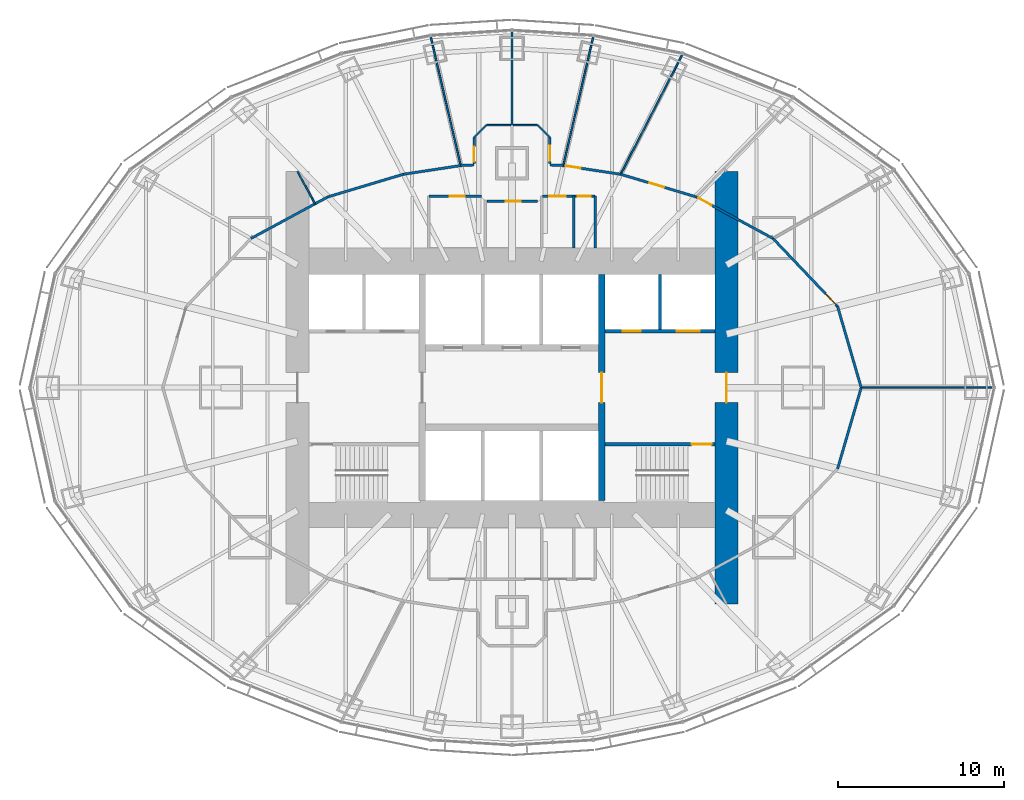
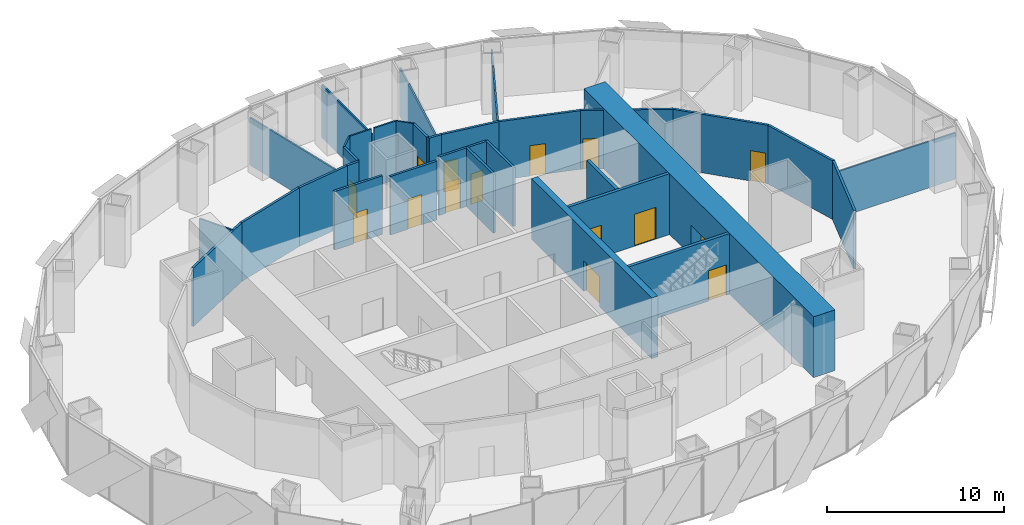
# One storey, part 12 of 18: 33 walls, 15 doors, 15 openings.
"""IFC4 building model written with IfcOpenShell, lengths in metres."""

from ifc_helpers import new_model, si_unit, direction, frame, frame_2d, origin, place, context, subcontext, project, spatial, rectangle, extrude, material, layer, layer_set, type_object, element, fill, save


model = new_model("IFC4")

# Units and contexts
model_context = context("Model", 3, precision=1e-05, world=origin(), true_north=direction((0.0, 1.0)))
body_context = subcontext(model_context, "Body", "Model", "MODEL_VIEW")
ifc_project = project(units=[si_unit("LENGTHUNIT", "METRE"), si_unit("AREAUNIT", "SQUARE_METRE"), si_unit("VOLUMEUNIT", "CUBIC_METRE"), si_unit("PLANEANGLEUNIT", "RADIAN"), si_unit("MASSUNIT", "GRAM", prefix="KILO")], contexts=[model_context])

# Site, building, storey
site_placement = place(None, origin())
site = spatial("IfcSite", under=ifc_project, at=site_placement, CompositionType="ELEMENT")
building_placement = place(site_placement, origin())
building = spatial("IfcBuilding", under=site, at=building_placement, Name="Lantaw Convention Tower", CompositionType="ELEMENT")
storey_placement = place(building_placement, frame((0.0, 0.0, 184.60009765625)))
storey = spatial("IfcBuildingStorey", under=building, at=storey_placement, Name="L43", CompositionType="ELEMENT", Elevation=184.60009765625)

# Wall, opening, door
ifc_material_1 = material(Name="Concrete C60/75", Category="concrete")
ifc_layer_1 = layer(ifc_material_1, 1.39990234375)
ifc_layer_set_1 = layer_set([ifc_layer_1], Name="Core wall 1400")
wall_type_1 = type_object("IfcWallType", Name="Core wall 1400", PredefinedType="SHEAR", material=ifc_layer_set_1)
wall_1_placement = place(storey_placement, frame((12.89990234375, -13.0, 0.0), z_axis=(0.0, 0.0, 1.0), x_axis=(0.0, 1.0, 0.0)))
wall_1 = element("IfcWall", 1, at=wall_1_placement, inside=storey, type_object=wall_type_1, Name="Core wall E", PredefinedType="SHEAR", context=body_context, shape_type="SweptSolid", body=[
    extrude(rectangle(XDim=26.0, YDim=1.39990234375, at=frame_2d((13.0, 0.0))), origin(), (0.0, 0.0, 1.0), 4.199951171875),
])
opening_1_placement = place(wall_1_placement, frame((12.10009765625, 0.0, 0.0)))
opening_1 = element("IfcOpeningElement", 2, at=opening_1_placement, cuts=wall_1, Name="Opening L43.05", PredefinedType="OPENING", context=body_context, shape_type="SweptSolid", body=[
    extrude(rectangle(XDim=1.800048828125, YDim=2.10009765625, at=frame_2d((0.89990234375, 1.050048828125))), frame((0.0, 0.7099609375, 0.0), z_axis=(0.0, -1.0, 0.0), x_axis=(1.0, 0.0, 0.0)), (0.0, 0.0, 1.0), 1.419921875),
])
ifc_material_2 = material(Name="Steel, fire rated", Category="steel")
door_type_1 = type_object("IfcDoorType", Name="Lobby double door FD90", OperationType="DOUBLE_DOOR_DOUBLE_SWING", PredefinedType="DOOR", material=ifc_material_2)
door_1_placement = place(opening_1_placement, origin())
door_1 = element("IfcDoor", 3, at=door_1_placement, inside=storey, type_object=door_type_1, Name="Firefighting lobby door", OperationType="DOUBLE_DOOR_DOUBLE_SWING", OverallHeight=2.10009765625, OverallWidth=1.800048828125, PredefinedType="DOOR", context=body_context, shape_type="SweptSolid", body=[
    extrude(rectangle(XDim=1.800048828125, YDim=2.10009765625, at=frame_2d((0.89990234375, 1.050048828125))), frame((0.0, 0.02490234375, 0.0), z_axis=(0.0, -1.0, 0.0), x_axis=(1.0, 0.0, 0.0)), (0.0, 0.0, 1.0), 0.050048828125),
])
fill(opening_1, door_1)

ifc_layer_2 = layer(ifc_material_1, 0.199951171875)
ifc_layer_set_2 = layer_set([ifc_layer_2], Name="Core wall 200")
wall_type_2 = type_object("IfcWallType", Name="Core wall 200", PredefinedType="SHEAR", material=ifc_layer_set_2)
wall_2_placement = place(storey_placement, frame((5.60009765625, -3.39990234375, 0.0), z_axis=(0.0, 0.0, 1.0), x_axis=(1.0, 0.0, 0.0)))
wall_2 = element("IfcWall", 4, at=wall_2_placement, inside=storey, type_object=wall_type_2, Name="Core wall ES", PredefinedType="SHEAR", context=body_context, shape_type="SweptSolid", body=[
    extrude(rectangle(XDim=6.599853515625, YDim=0.199951171875, at=frame_2d((3.2998046875, 0.0))), origin(), (0.0, 0.0, 1.0), 4.199951171875),
])
opening_2_placement = place(wall_2_placement, frame((5.199951171875, 0.0, 0.0)))
opening_2 = element("IfcOpeningElement", 5, at=opening_2_placement, cuts=wall_2, Name="Opening L43.03", PredefinedType="OPENING", context=body_context, shape_type="SweptSolid", body=[
    extrude(rectangle(XDim=1.199951171875, YDim=2.10009765625, at=frame_2d((0.60009765625, 1.050048828125))), frame((0.0, 0.10986328125, 0.0), z_axis=(0.0, -1.0, 0.0), x_axis=(1.0, 0.0, 0.0)), (0.0, 0.0, 1.0), 0.219970703125),
])
door_type_2 = type_object("IfcDoorType", Name="Stair door FD90", OperationType="SINGLE_SWING_RIGHT", PredefinedType="DOOR", material=ifc_material_2)
door_2_placement = place(opening_2_placement, origin())
door_2 = element("IfcDoor", 6, at=door_2_placement, inside=storey, type_object=door_type_2, Name="Exit stair door", OperationType="SINGLE_SWING_RIGHT", OverallHeight=2.10009765625, OverallWidth=1.199951171875, PredefinedType="DOOR", context=body_context, shape_type="SweptSolid", body=[
    extrude(rectangle(XDim=1.199951171875, YDim=2.10009765625, at=frame_2d((0.60009765625, 1.050048828125))), frame((0.0, 0.02490234375, 0.0), z_axis=(0.0, -1.0, 0.0), x_axis=(1.0, 0.0, 0.0)), (0.0, 0.0, 1.0), 0.050048828125),
])
fill(opening_2, door_2)

ifc_layer_3 = layer(ifc_material_1, 0.39990234375)
ifc_layer_set_3 = layer_set([ifc_layer_3], Name="Core wall 400")
wall_type_3 = type_object("IfcWallType", Name="Core wall 400", PredefinedType="SHEAR", material=ifc_layer_set_3)
wall_3_placement = place(storey_placement, frame((5.39990234375, -6.800048828125, 0.0), z_axis=(0.0, 0.0, 1.0), x_axis=(0.0, 1.0, 0.0)))
wall_3 = element("IfcWall", 7, at=wall_3_placement, inside=storey, type_object=wall_type_3, Name="Core wall XE", PredefinedType="SHEAR", context=body_context, shape_type="SweptSolid", body=[
    extrude(rectangle(XDim=13.60009765625, YDim=0.39990234375, at=frame_2d((6.800048828125, 0.0))), origin(), (0.0, 0.0, 1.0), 4.199951171875),
])
opening_3_placement = place(wall_3_placement, frame((5.89990234375, 0.0, 0.0)))
opening_3 = element("IfcOpeningElement", 8, at=opening_3_placement, cuts=wall_3, Name="Opening L43.01", PredefinedType="OPENING", context=body_context, shape_type="SweptSolid", body=[
    extrude(rectangle(XDim=1.800048828125, YDim=2.10009765625, at=frame_2d((0.89990234375, 1.050048828125))), frame((0.0, 0.2099609375, 0.0), z_axis=(0.0, -1.0, 0.0), x_axis=(1.0, 0.0, 0.0)), (0.0, 0.0, 1.0), 0.419921875),
])
door_3_placement = place(opening_3_placement, origin())
door_3 = element("IfcDoor", 9, at=door_3_placement, inside=storey, type_object=door_type_1, Name="Lift lobby door", OperationType="DOUBLE_DOOR_DOUBLE_SWING", OverallHeight=2.10009765625, OverallWidth=1.800048828125, PredefinedType="DOOR", context=body_context, shape_type="SweptSolid", body=[
    extrude(rectangle(XDim=1.800048828125, YDim=2.10009765625, at=frame_2d((0.89990234375, 1.050048828125))), frame((0.0, 0.02490234375, 0.0), z_axis=(0.0, -1.0, 0.0), x_axis=(1.0, 0.0, 0.0)), (0.0, 0.0, 1.0), 0.050048828125),
])
fill(opening_3, door_3)

# Wall
ifc_material_3 = material(Name="Gypsum board on steel studs, fire rated", Category="steel")
ifc_layer_4 = layer(ifc_material_3, 0.14990234375)
ifc_layer_set_4 = layer_set([ifc_layer_4], Name="Corridor wall 150 EI 60")
wall_type_4 = type_object("IfcWallType", Name="Corridor wall 150 EI 60", PredefinedType="PARTITIONING", material=ifc_layer_set_4)
wall_4_placement = place(storey_placement, frame((21.0, 0.0, 0.0), z_axis=(0.0, 0.0, 1.0), x_axis=(-0.279474430869, 0.960153134917, 0.0)))
element("IfcWall", 10, at=wall_4_placement, inside=storey, type_object=wall_type_4, Name="Corridor wall 150", PredefinedType="PARTITIONING", context=body_context, shape_type="SweptSolid", body=[
    extrude(rectangle(XDim=5.084228515625, YDim=0.14990234375, at=frame_2d((2.5419921875, 0.0))), origin(), (0.0, 0.0, 1.0), 4.0498046875),
])

# Wall, opening, door
wall_5_placement = place(storey_placement, frame((19.5791015625, 4.881591796875, 0.0), z_axis=(0.0, 0.0, 1.0), x_axis=(-0.688797257101, 0.72495402517, 0.0)))
wall_5 = element("IfcWall", 11, at=wall_5_placement, inside=storey, type_object=wall_type_4, Name="Corridor wall 150", PredefinedType="PARTITIONING", context=body_context, shape_type="SweptSolid", body=[
    extrude(rectangle(XDim=5.63818359375, YDim=0.14990234375, at=frame_2d((2.819091796875, 0.0))), origin(), (0.0, 0.0, 1.0), 4.0498046875),
])
opening_4_placement = place(wall_5_placement, frame((0.14990234375, 0.0, 0.0)))
opening_4 = element("IfcOpeningElement", 12, at=opening_4_placement, cuts=wall_5, Name="Opening L43.22", PredefinedType="OPENING", context=body_context, shape_type="SweptSolid", body=[
    extrude(rectangle(XDim=0.89990234375, YDim=2.10009765625, at=frame_2d((0.449951171875, 1.050048828125))), frame((0.0, 0.0849609375, 0.0), z_axis=(0.0, -1.0, 0.0), x_axis=(1.0, 0.0, 0.0)), (0.0, 0.0, 1.0), 0.169921875),
])
door_type_3 = type_object("IfcDoorType", Name="Office door 900 FD30", OperationType="SINGLE_SWING_LEFT", PredefinedType="DOOR", material=ifc_material_2)
door_4_placement = place(opening_4_placement, origin())
door_4 = element("IfcDoor", 13, at=door_4_placement, inside=storey, type_object=door_type_3, Name="Boardroom door", OperationType="SINGLE_SWING_LEFT", OverallHeight=2.10009765625, OverallWidth=0.89990234375, PredefinedType="DOOR", context=body_context, shape_type="SweptSolid", body=[
    extrude(rectangle(XDim=0.89990234375, YDim=2.10009765625, at=frame_2d((0.449951171875, 1.050048828125))), frame((0.0, 0.02490234375, 0.0), z_axis=(0.0, -1.0, 0.0), x_axis=(1.0, 0.0, 0.0)), (0.0, 0.0, 1.0), 0.050048828125),
])
fill(opening_4, door_4)

wall_6_placement = place(storey_placement, frame((15.695556640625, 8.968994140625, 0.0), z_axis=(0.0, 0.0, 1.0), x_axis=(-0.879436285334, 0.476016617397, 0.0)))
wall_6 = element("IfcWall", 14, at=wall_6_placement, inside=storey, type_object=wall_type_4, Name="Corridor wall 150", PredefinedType="PARTITIONING", context=body_context, shape_type="SweptSolid", body=[
    extrude(rectangle(XDim=5.2529296875, YDim=0.14990234375, at=frame_2d((2.62646484375, 0.0))), origin(), (0.0, 0.0, 1.0), 4.0498046875),
])
opening_5_placement = place(wall_6_placement, frame((4.202880859375, 0.0, 0.0)))
opening_5 = element("IfcOpeningElement", 15, at=opening_5_placement, cuts=wall_6, Name="Opening L43.23", PredefinedType="OPENING", context=body_context, shape_type="SweptSolid", body=[
    extrude(rectangle(XDim=0.89990234375, YDim=2.10009765625, at=frame_2d((0.449951171875, 1.050048828125))), frame((0.0, 0.0849609375, 0.0), z_axis=(0.0, -1.0, 0.0), x_axis=(1.0, 0.0, 0.0)), (0.0, 0.0, 1.0), 0.169921875),
])
door_5_placement = place(opening_5_placement, origin())
door_5 = element("IfcDoor", 16, at=door_5_placement, inside=storey, type_object=door_type_3, Name="Meeting room door", OperationType="SINGLE_SWING_LEFT", OverallHeight=2.10009765625, OverallWidth=0.89990234375, PredefinedType="DOOR", context=body_context, shape_type="SweptSolid", body=[
    extrude(rectangle(XDim=0.89990234375, YDim=2.10009765625, at=frame_2d((0.449951171875, 1.050048828125))), frame((0.0, 0.02490234375, 0.0), z_axis=(0.0, -1.0, 0.0), x_axis=(1.0, 0.0, 0.0)), (0.0, 0.0, 1.0), 0.050048828125),
])
fill(opening_5, door_5)

wall_7_placement = place(storey_placement, frame((11.075927734375, 11.469482421875, 0.0), z_axis=(0.0, 0.0, 1.0), x_axis=(-0.957933992798, 0.286988615527, 0.0)))
wall_7 = element("IfcWall", 17, at=wall_7_placement, inside=storey, type_object=wall_type_4, Name="Corridor wall 150", PredefinedType="PARTITIONING", context=body_context, shape_type="SweptSolid", body=[
    extrude(rectangle(XDim=4.73828125, YDim=0.14990234375, at=frame_2d((2.369140625, 0.0))), origin(), (0.0, 0.0, 1.0), 4.0498046875),
])
opening_6_placement = place(wall_7_placement, frame((2.023193359375, 0.0, 0.0)))
opening_6 = element("IfcOpeningElement", 18, at=opening_6_placement, cuts=wall_7, Name="Opening L43.24", PredefinedType="OPENING", context=body_context, shape_type="SweptSolid", body=[
    extrude(rectangle(XDim=0.89990234375, YDim=2.10009765625, at=frame_2d((0.449951171875, 1.050048828125))), frame((0.0, 0.0849609375, 0.0), z_axis=(0.0, -1.0, 0.0), x_axis=(1.0, 0.0, 0.0)), (0.0, 0.0, 1.0), 0.169921875),
])
door_6_placement = place(opening_6_placement, origin())
door_6 = element("IfcDoor", 19, at=door_6_placement, inside=storey, type_object=door_type_3, Name="Meeting room door", OperationType="SINGLE_SWING_LEFT", OverallHeight=2.10009765625, OverallWidth=0.89990234375, PredefinedType="DOOR", context=body_context, shape_type="SweptSolid", body=[
    extrude(rectangle(XDim=0.89990234375, YDim=2.10009765625, at=frame_2d((0.449951171875, 1.050048828125))), frame((0.0, 0.02490234375, 0.0), z_axis=(0.0, -1.0, 0.0), x_axis=(1.0, 0.0, 0.0)), (0.0, 0.0, 1.0), 0.050048828125),
])
fill(opening_6, door_6)

wall_8_placement = place(storey_placement, frame((6.536865234375, 12.829345703125, 0.0), z_axis=(0.0, 0.0, 1.0), x_axis=(-0.988668719464, 0.150113833987, 0.0)))
wall_8 = element("IfcWall", 20, at=wall_8_placement, inside=storey, type_object=wall_type_4, Name="Corridor wall 150", PredefinedType="PARTITIONING", context=body_context, shape_type="SweptSolid", body=[
    extrude(rectangle(XDim=3.493408203125, YDim=0.14990234375, at=frame_2d((1.74658203125, 0.0))), origin(), (0.0, 0.0, 1.0), 4.0498046875),
])
opening_7_placement = place(wall_8_placement, frame((2.443603515625, 0.0, 0.0)))
opening_7 = element("IfcOpeningElement", 21, at=opening_7_placement, cuts=wall_8, Name="Opening L43.25", PredefinedType="OPENING", context=body_context, shape_type="SweptSolid", body=[
    extrude(rectangle(XDim=0.89990234375, YDim=2.10009765625, at=frame_2d((0.449951171875, 1.050048828125))), frame((0.0, 0.0849609375, 0.0), z_axis=(0.0, -1.0, 0.0), x_axis=(1.0, 0.0, 0.0)), (0.0, 0.0, 1.0), 0.169921875),
])
door_7_placement = place(opening_7_placement, origin())
door_7 = element("IfcDoor", 22, at=door_7_placement, inside=storey, type_object=door_type_3, Name="Meeting room door", OperationType="SINGLE_SWING_LEFT", OverallHeight=2.10009765625, OverallWidth=0.89990234375, PredefinedType="DOOR", context=body_context, shape_type="SweptSolid", body=[
    extrude(rectangle(XDim=0.89990234375, YDim=2.10009765625, at=frame_2d((0.449951171875, 1.050048828125))), frame((0.0, 0.02490234375, 0.0), z_axis=(0.0, -1.0, 0.0), x_axis=(1.0, 0.0, 0.0)), (0.0, 0.0, 1.0), 0.050048828125),
])
fill(opening_7, door_7)

# Walls
wall_9_placement = place(storey_placement, frame((-3.0830078125, 13.353759765625, 0.0), z_axis=(0.0, 0.0, 1.0), x_axis=(-0.988668719464, -0.150113833987, 0.0)))
element("IfcWall", 23, at=wall_9_placement, inside=storey, type_object=wall_type_4, Name="Corridor wall 150", PredefinedType="PARTITIONING", context=body_context, shape_type="SweptSolid", body=[
    extrude(rectangle(XDim=3.493408203125, YDim=0.14990234375, at=frame_2d((1.74658203125, 0.0))), origin(), (0.0, 0.0, 1.0), 4.0498046875),
])
wall_10_placement = place(storey_placement, frame((-6.536865234375, 12.829345703125, 0.0), z_axis=(0.0, 0.0, 1.0), x_axis=(-0.957933992798, -0.286988615527, 0.0)))
element("IfcWall", 24, at=wall_10_placement, inside=storey, type_object=wall_type_4, Name="Corridor wall 150", PredefinedType="PARTITIONING", context=body_context, shape_type="SweptSolid", body=[
    extrude(rectangle(XDim=4.73828125, YDim=0.14990234375, at=frame_2d((2.369140625, 0.0))), origin(), (0.0, 0.0, 1.0), 4.0498046875),
])
wall_11_placement = place(storey_placement, frame((-11.075927734375, 11.469482421875, 0.0), z_axis=(0.0, 0.0, 1.0), x_axis=(-0.879436285334, -0.476016617397, 0.0)))
element("IfcWall", 25, at=wall_11_placement, inside=storey, type_object=wall_type_4, Name="Corridor wall 150", PredefinedType="PARTITIONING", context=body_context, shape_type="SweptSolid", body=[
    extrude(rectangle(XDim=5.2529296875, YDim=0.14990234375, at=frame_2d((2.62646484375, 0.0))), origin(), (0.0, 0.0, 1.0), 4.0498046875),
])
wall_12_placement = place(storey_placement, frame((19.5791015625, -4.881591796875, 0.0), z_axis=(0.0, 0.0, 1.0), x_axis=(0.279474430869, 0.960153134917, 0.0)))
element("IfcWall", 26, at=wall_12_placement, inside=storey, type_object=wall_type_4, Name="Corridor wall 150", PredefinedType="PARTITIONING", context=body_context, shape_type="SweptSolid", body=[
    extrude(rectangle(XDim=5.084228515625, YDim=0.14990234375, at=frame_2d((2.5419921875, 0.0))), origin(), (0.0, 0.0, 1.0), 4.0498046875),
])
for number, where, z_axis, x_axis, name in (
    (27, (3.0830078125, 13.353759765625, 0.0), (0.0, 0.0, 1.0), (-0.998878614804, 0.04734461836, 0.0), "Corridor wall 150"),
    (28, (-2.294921875, 13.39111328125, 0.0), (0.0, 0.0, 1.0), (-0.998878614804, -0.04734461836, 0.0), "Corridor wall 150"),
):
    element("IfcWall", number, at=place(storey_placement, frame(where, z_axis=z_axis, x_axis=x_axis)), inside=storey, type_object=wall_type_4, Name=name, PredefinedType="PARTITIONING", context=body_context, shape_type="SweptSolid", body=[
        extrude(rectangle(XDim=0.7890625, YDim=0.14990234375, at=frame_2d((0.39453125, 0.0))), origin(), (0.0, 0.0, 1.0), 4.0498046875),
    ])

# Wall, opening, door
wall_13_placement = place(storey_placement, frame((2.284912109375, 15.0322265625, 0.0), z_axis=(0.0, 0.0, 1.0), x_axis=(0.0, -1.0, 0.0)))
wall_13 = element("IfcWall", 29, at=wall_13_placement, inside=storey, type_object=wall_type_4, Name="Corridor wall 150", PredefinedType="PARTITIONING", context=body_context, shape_type="SweptSolid", body=[
    extrude(rectangle(XDim=1.53955078125, YDim=0.14990234375, at=frame_2d((0.769775390625, 0.0))), origin(), (0.0, 0.0, 1.0), 4.0498046875),
])
opening_8_placement = place(wall_13_placement, frame((0.5, 0.0, 0.0)))
opening_8 = element("IfcOpeningElement", 30, at=opening_8_placement, cuts=wall_13, Name="Opening L43.26", PredefinedType="OPENING", context=body_context, shape_type="SweptSolid", body=[
    extrude(rectangle(XDim=0.89990234375, YDim=2.10009765625, at=frame_2d((0.449951171875, 1.050048828125))), frame((0.0, 0.0849609375, 0.0), z_axis=(0.0, -1.0, 0.0), x_axis=(1.0, 0.0, 0.0)), (0.0, 0.0, 1.0), 0.169921875),
])
door_8_placement = place(opening_8_placement, origin())
door_8 = element("IfcDoor", 31, at=door_8_placement, inside=storey, type_object=door_type_3, Name="Training room door", OperationType="SINGLE_SWING_LEFT", OverallHeight=2.10009765625, OverallWidth=0.89990234375, PredefinedType="DOOR", context=body_context, shape_type="SweptSolid", body=[
    extrude(rectangle(XDim=0.89990234375, YDim=2.10009765625, at=frame_2d((0.449951171875, 1.050048828125))), frame((0.0, 0.02490234375, 0.0), z_axis=(0.0, -1.0, 0.0), x_axis=(1.0, 0.0, 0.0)), (0.0, 0.0, 1.0), 0.050048828125),
])
fill(opening_8, door_8)

wall_14_placement = place(storey_placement, frame((-2.284912109375, 13.49267578125, 0.0), z_axis=(0.0, 0.0, 1.0), x_axis=(0.0, 1.0, 0.0)))
wall_14 = element("IfcWall", 32, at=wall_14_placement, inside=storey, type_object=wall_type_4, Name="Corridor wall 150", PredefinedType="PARTITIONING", context=body_context, shape_type="SweptSolid", body=[
    extrude(rectangle(XDim=1.53955078125, YDim=0.14990234375, at=frame_2d((0.769775390625, 0.0))), origin(), (0.0, 0.0, 1.0), 4.0498046875),
])
opening_9_placement = place(wall_14_placement, frame((0.10009765625, 0.0, 0.0)))
opening_9 = element("IfcOpeningElement", 33, at=opening_9_placement, cuts=wall_14, Name="Opening L43.27", PredefinedType="OPENING", context=body_context, shape_type="SweptSolid", body=[
    extrude(rectangle(XDim=0.89990234375, YDim=2.10009765625, at=frame_2d((0.449951171875, 1.050048828125))), frame((0.0, 0.0849609375, 0.0), z_axis=(0.0, -1.0, 0.0), x_axis=(1.0, 0.0, 0.0)), (0.0, 0.0, 1.0), 0.169921875),
])
door_9_placement = place(opening_9_placement, origin())
door_9 = element("IfcDoor", 34, at=door_9_placement, inside=storey, type_object=door_type_3, Name="Pantry door", OperationType="SINGLE_SWING_LEFT", OverallHeight=2.10009765625, OverallWidth=0.89990234375, PredefinedType="DOOR", context=body_context, shape_type="SweptSolid", body=[
    extrude(rectangle(XDim=0.89990234375, YDim=2.10009765625, at=frame_2d((0.449951171875, 1.050048828125))), frame((0.0, 0.02490234375, 0.0), z_axis=(0.0, -1.0, 0.0), x_axis=(1.0, 0.0, 0.0)), (0.0, 0.0, 1.0), 0.050048828125),
])
fill(opening_9, door_9)

# Walls
ifc_material_4 = material(Name="Gypsum board on steel studs, acoustic", Category="steel")
ifc_layer_5 = layer(ifc_material_4, 0.10009765625)
ifc_layer_set_5 = layer_set([ifc_layer_5], Name="Office partition 100")
wall_type_5 = type_object("IfcWallType", Name="Office partition 100", PredefinedType="PARTITIONING", material=ifc_layer_set_5)
wall_15_placement = place(storey_placement, frame((28.944091796875, 0.0, 0.0), z_axis=(0.0, 0.0, 1.0), x_axis=(-1.0, 0.0, 0.0)))
element("IfcWall", 35, at=wall_15_placement, inside=storey, type_object=wall_type_5, Name="Office partition 100", PredefinedType="PARTITIONING", context=body_context, shape_type="SweptSolid", body=[
    extrude(rectangle(XDim=7.944091796875, YDim=0.10009765625, at=frame_2d((3.97216796875, 0.0))), origin(), (0.0, 0.0, 1.0), 3.2041015625),
])
wall_16_placement = place(storey_placement, frame((10.253173828125, 20.0517578125, 0.0), z_axis=(0.0, 0.0, 1.0), x_axis=(-0.457535449567, -0.889191381194, 0.0)))
element("IfcWall", 36, at=wall_16_placement, inside=storey, type_object=wall_type_5, Name="Office partition 100", PredefinedType="PARTITIONING", context=body_context, shape_type="SweptSolid", body=[
    extrude(rectangle(XDim=8.12255859375, YDim=0.10009765625, at=frame_2d((4.061279296875, 0.0))), origin(), (0.0, 0.0, 1.0), 3.348876953125),
])
for number, where, z_axis, x_axis, name in (
    (37, (4.89697265625, 21.134765625, 0.0), (0.0, 0.0, 1.0), (-0.227039313577, -0.973885593943, 0.0), "Office partition 100"),
    (38, (-4.89697265625, 21.134765625, 0.0), (0.0, 0.0, 1.0), (0.227039313577, -0.973885593943, 0.0), "Office partition 100"),
):
    element("IfcWall", number, at=place(storey_placement, frame(where, z_axis=z_axis, x_axis=x_axis)), inside=storey, type_object=wall_type_5, Name=name, PredefinedType="PARTITIONING", context=body_context, shape_type="SweptSolid", body=[
        extrude(rectangle(XDim=7.98974609375, YDim=0.10009765625, at=frame_2d((3.994873046875, 0.0))), origin(), (0.0, 0.0, 1.0), 3.29296875),
    ])
wall_17_placement = place(storey_placement, frame((-12.89990234375, 13.0, 0.0), z_axis=(0.0, 0.0, 1.0), x_axis=(0.475998959765, -0.879445842734, 0.0)))
element("IfcWall", 39, at=wall_17_placement, inside=storey, type_object=wall_type_5, Name="Office partition 100", PredefinedType="PARTITIONING", context=body_context, shape_type="SweptSolid", body=[
    extrude(rectangle(XDim=2.214111328125, YDim=0.10009765625, at=frame_2d((1.10693359375, 0.0))), origin(), (0.0, 0.0, 1.0), 4.0498046875),
])
wall_18_placement = place(storey_placement, frame((0.0, 21.44482421875, 0.0), z_axis=(0.0, 0.0, 1.0), x_axis=(0.0, -1.0, 0.0)))
element("IfcWall", 40, at=wall_18_placement, inside=storey, type_object=wall_type_5, Name="Office partition 100", PredefinedType="PARTITIONING", context=body_context, shape_type="SweptSolid", body=[
    extrude(rectangle(XDim=5.64990234375, YDim=0.10009765625, at=frame_2d((2.824951171875, 0.0))), origin(), (0.0, 0.0, 1.0), 3.64599609375),
])
wall_19_placement = place(storey_placement, frame((0.078125, 15.784912109375, 0.0), z_axis=(0.0, 0.0, 1.0), x_axis=(1.0, 0.0, 0.0)))
element("IfcWall", 41, at=wall_19_placement, inside=storey, type_object=wall_type_5, Name="Office partition 100", PredefinedType="PARTITIONING", context=body_context, shape_type="SweptSolid", body=[
    extrude(rectangle(XDim=1.4541015625, YDim=0.10009765625, at=frame_2d((0.72705078125, 0.0))), origin(), (0.0, 0.0, 1.0), 4.0498046875),
])
for number, where, z_axis, x_axis, name in (
    (42, (1.5322265625, 15.784912109375, 0.0), (0.0, 0.0, 1.0), (0.707106781187, -0.707106781187, 0.0), "Office partition 100"),
    (43, (-2.284912109375, 15.0322265625, 0.0), (0.0, 0.0, 1.0), (0.707106781187, 0.707106781187, 0.0), "Office partition 100"),
):
    element("IfcWall", number, at=place(storey_placement, frame(where, z_axis=z_axis, x_axis=x_axis)), inside=storey, type_object=wall_type_5, Name=name, PredefinedType="PARTITIONING", context=body_context, shape_type="SweptSolid", body=[
        extrude(rectangle(XDim=1.064453125, YDim=0.10009765625, at=frame_2d((0.5322265625, 0.0))), origin(), (0.0, 0.0, 1.0), 4.0498046875),
    ])
wall_20_placement = place(storey_placement, frame((-1.5322265625, 15.784912109375, 0.0), z_axis=(0.0, 0.0, 1.0), x_axis=(1.0, 0.0, 0.0)))
element("IfcWall", 44, at=wall_20_placement, inside=storey, type_object=wall_type_5, Name="Office partition 100", PredefinedType="PARTITIONING", context=body_context, shape_type="SweptSolid", body=[
    extrude(rectangle(XDim=1.4541015625, YDim=0.10009765625, at=frame_2d((0.72705078125, 0.0))), origin(), (0.0, 0.0, 1.0), 4.0498046875),
])

# Wall, openings, doors
ifc_material_5 = material(Name="Concrete blockwork, fire rated", Category="masonry")
ifc_layer_6 = layer(ifc_material_5, 0.199951171875)
ifc_layer_set_6 = layer_set([ifc_layer_6], Name="Shaft wall 200")
wall_type_6 = type_object("IfcWallType", Name="Shaft wall 200", PredefinedType="SOLIDWALL", material=ifc_layer_set_6)
wall_21_placement = place(storey_placement, frame((12.199951171875, 3.39990234375, 0.0), z_axis=(0.0, 0.0, 1.0), x_axis=(-1.0, 0.0, 0.0)))
wall_21 = element("IfcWall", 45, at=wall_21_placement, inside=storey, type_object=wall_type_6, Name="Shaft wall EN", PredefinedType="SOLIDWALL", context=body_context, shape_type="SweptSolid", body=[
    extrude(rectangle(XDim=6.599853515625, YDim=0.199951171875, at=frame_2d((3.2998046875, 0.0))), origin(), (0.0, 0.0, 1.0), 4.199951171875),
])
opening_10_placement = place(wall_21_placement, frame((4.449951171875, 0.0, 0.0)))
opening_10 = element("IfcOpeningElement", 46, at=opening_10_placement, cuts=wall_21, Name="Opening L43.12", PredefinedType="OPENING", context=body_context, shape_type="SweptSolid", body=[
    extrude(rectangle(XDim=1.10009765625, YDim=2.199951171875, at=frame_2d((0.550048828125, 1.10009765625))), frame((0.0, 0.10986328125, 0.0), z_axis=(0.0, -1.0, 0.0), x_axis=(1.0, 0.0, 0.0)), (0.0, 0.0, 1.0), 0.219970703125),
])
opening_11_placement = place(wall_21_placement, frame((0.89990234375, 0.0, 0.0)))
opening_11 = element("IfcOpeningElement", 47, at=opening_11_placement, cuts=wall_21, Name="Opening L43.13", PredefinedType="OPENING", context=body_context, shape_type="SweptSolid", body=[
    extrude(rectangle(XDim=1.39990234375, YDim=2.199951171875, at=frame_2d((0.699951171875, 1.10009765625))), frame((0.0, 0.10986328125, 0.0), z_axis=(0.0, -1.0, 0.0), x_axis=(1.0, 0.0, 0.0)), (0.0, 0.0, 1.0), 0.219970703125),
])
ifc_material_6 = material(Name="Stainless steel", Category="steel")
door_type_4 = type_object("IfcDoorType", Name="Lift landing door 1100", OperationType="DOUBLE_DOOR_SLIDING", PredefinedType="DOOR", material=ifc_material_6)
door_10_placement = place(opening_10_placement, origin())
door_10 = element("IfcDoor", 48, at=door_10_placement, inside=storey, type_object=door_type_4, Name="Lift landing door FF2", OperationType="DOUBLE_DOOR_SLIDING", OverallHeight=2.199951171875, OverallWidth=1.10009765625, PredefinedType="DOOR", context=body_context, shape_type="SweptSolid", body=[
    extrude(rectangle(XDim=1.10009765625, YDim=2.199951171875, at=frame_2d((0.550048828125, 1.10009765625))), frame((0.0, 0.02490234375, 0.0), z_axis=(0.0, -1.0, 0.0), x_axis=(1.0, 0.0, 0.0)), (0.0, 0.0, 1.0), 0.050048828125),
])
fill(opening_10, door_10)
door_type_5 = type_object("IfcDoorType", Name="Lift landing door 1400", OperationType="DOUBLE_DOOR_SLIDING", PredefinedType="DOOR", material=ifc_material_6)
door_11_placement = place(opening_11_placement, origin())
door_11 = element("IfcDoor", 49, at=door_11_placement, inside=storey, type_object=door_type_5, Name="Lift landing door SV2", OperationType="DOUBLE_DOOR_SLIDING", OverallHeight=2.199951171875, OverallWidth=1.39990234375, PredefinedType="DOOR", context=body_context, shape_type="SweptSolid", body=[
    extrude(rectangle(XDim=1.39990234375, YDim=2.199951171875, at=frame_2d((0.699951171875, 1.10009765625))), frame((0.0, 0.02490234375, 0.0), z_axis=(0.0, -1.0, 0.0), x_axis=(1.0, 0.0, 0.0)), (0.0, 0.0, 1.0), 0.050048828125),
])
fill(opening_11, door_11)

# Walls
wall_22_placement = place(storey_placement, frame((8.89990234375, 3.5, 0.0), z_axis=(0.0, 0.0, 1.0), x_axis=(0.0, 1.0, 0.0)))
element("IfcWall", 50, at=wall_22_placement, inside=storey, type_object=wall_type_6, Name="Shaft wall ED", PredefinedType="SOLIDWALL", context=body_context, shape_type="SweptSolid", body=[
    extrude(rectangle(XDim=3.300048828125, YDim=0.199951171875, at=frame_2d((1.64990234375, 0.0))), origin(), (0.0, 0.0, 1.0), 4.199951171875),
])
ifc_material_7 = material(Name="Concrete blockwork", Category="masonry")
ifc_layer_7 = layer(ifc_material_7, 0.14990234375)
ifc_layer_set_7 = layer_set([ifc_layer_7], Name="WC wall 150")
wall_type_7 = type_object("IfcWallType", Name="WC wall 150", PredefinedType="SOLIDWALL", material=ifc_layer_set_7)
for number, where, z_axis, x_axis, name in (
    (51, (5.0, 8.39990234375, 0.0), (0.0, 0.0, 1.0), (0.0, 1.0, 0.0), "WC wall 150"),
    (52, (3.699951171875, 8.39990234375, 0.0), (0.0, 0.0, 1.0), (0.0, 1.0, 0.0), "WC wall 150"),
):
    element("IfcWall", number, at=place(storey_placement, frame(where, z_axis=z_axis, x_axis=x_axis)), inside=storey, type_object=wall_type_7, Name=name, PredefinedType="SOLIDWALL", context=body_context, shape_type="SweptSolid", body=[
        extrude(rectangle(XDim=3.112060546875, YDim=0.14990234375, at=frame_2d((1.55615234375, 0.0))), origin(), (0.0, 0.0, 1.0), 4.0498046875),
    ])

# Wall, opening, door
wall_23_placement = place(storey_placement, frame((-5.0, 11.511962890625, 0.0), z_axis=(0.0, 0.0, 1.0), x_axis=(1.0, 0.0, 0.0)))
wall_23 = element("IfcWall", 53, at=wall_23_placement, inside=storey, type_object=wall_type_7, Name="WC wall 150", PredefinedType="SOLIDWALL", context=body_context, shape_type="SweptSolid", body=[
    extrude(rectangle(XDim=3.156494140625, YDim=0.14990234375, at=frame_2d((1.578125, 0.0))), origin(), (0.0, 0.0, 1.0), 4.0498046875),
])
opening_12_placement = place(wall_23_placement, frame((1.25, 0.0, 0.0)))
opening_12 = element("IfcOpeningElement", 54, at=opening_12_placement, cuts=wall_23, Name="Opening L43.14", PredefinedType="OPENING", context=body_context, shape_type="SweptSolid", body=[
    extrude(rectangle(XDim=0.89990234375, YDim=2.10009765625, at=frame_2d((0.449951171875, 1.050048828125))), frame((0.0, 0.0849609375, 0.0), z_axis=(0.0, -1.0, 0.0), x_axis=(1.0, 0.0, 0.0)), (0.0, 0.0, 1.0), 0.169921875),
])
ifc_material_8 = material(Name="Timber", Category="wood")
door_type_6 = type_object("IfcDoorType", Name="WC door 900", OperationType="SINGLE_SWING_LEFT", PredefinedType="DOOR", material=ifc_material_8)
door_12_placement = place(opening_12_placement, origin())
door_12 = element("IfcDoor", 55, at=door_12_placement, inside=storey, type_object=door_type_6, Name="Female WC door", OperationType="SINGLE_SWING_LEFT", OverallHeight=2.10009765625, OverallWidth=0.89990234375, PredefinedType="DOOR", context=body_context, shape_type="SweptSolid", body=[
    extrude(rectangle(XDim=0.89990234375, YDim=2.10009765625, at=frame_2d((0.449951171875, 1.050048828125))), frame((0.0, 0.02490234375, 0.0), z_axis=(0.0, -1.0, 0.0), x_axis=(1.0, 0.0, 0.0)), (0.0, 0.0, 1.0), 0.050048828125),
])
fill(opening_12, door_12)

# Wall, openings, doors
wall_24_placement = place(storey_placement, frame((1.843505859375, 11.511962890625, 0.0), z_axis=(0.0, 0.0, 1.0), x_axis=(1.0, 0.0, 0.0)))
wall_24 = element("IfcWall", 56, at=wall_24_placement, inside=storey, type_object=wall_type_7, Name="WC wall 150", PredefinedType="SOLIDWALL", context=body_context, shape_type="SweptSolid", body=[
    extrude(rectangle(XDim=3.156494140625, YDim=0.14990234375, at=frame_2d((1.578125, 0.0))), origin(), (0.0, 0.0, 1.0), 4.0498046875),
])
opening_13_placement = place(wall_24_placement, frame((0.39990234375, 0.0, 0.0)))
opening_13 = element("IfcOpeningElement", 57, at=opening_13_placement, cuts=wall_24, Name="Opening L43.16", PredefinedType="OPENING", context=body_context, shape_type="SweptSolid", body=[
    extrude(rectangle(XDim=1.0, YDim=2.10009765625, at=frame_2d((0.5, 1.050048828125))), frame((0.0, 0.0849609375, 0.0), z_axis=(0.0, -1.0, 0.0), x_axis=(1.0, 0.0, 0.0)), (0.0, 0.0, 1.0), 0.169921875),
])
opening_14_placement = place(wall_24_placement, frame((2.10009765625, 0.0, 0.0)))
opening_14 = element("IfcOpeningElement", 58, at=opening_14_placement, cuts=wall_24, Name="Opening L43.17", PredefinedType="OPENING", context=body_context, shape_type="SweptSolid", body=[
    extrude(rectangle(XDim=0.800048828125, YDim=2.10009765625, at=frame_2d((0.39990234375, 1.050048828125))), frame((0.0, 0.0849609375, 0.0), z_axis=(0.0, -1.0, 0.0), x_axis=(1.0, 0.0, 0.0)), (0.0, 0.0, 1.0), 0.169921875),
])
door_type_7 = type_object("IfcDoorType", Name="Accessible WC door 1000", OperationType="SINGLE_SWING_LEFT", PredefinedType="DOOR", material=ifc_material_8)
door_13_placement = place(opening_13_placement, origin())
door_13 = element("IfcDoor", 59, at=door_13_placement, inside=storey, type_object=door_type_7, Name="Accessible WC door", OperationType="SINGLE_SWING_LEFT", OverallHeight=2.10009765625, OverallWidth=1.0, PredefinedType="DOOR", context=body_context, shape_type="SweptSolid", body=[
    extrude(rectangle(XDim=1.0, YDim=2.10009765625, at=frame_2d((0.5, 1.050048828125))), frame((0.0, 0.02490234375, 0.0), z_axis=(0.0, -1.0, 0.0), x_axis=(1.0, 0.0, 0.0)), (0.0, 0.0, 1.0), 0.050048828125),
])
fill(opening_13, door_13)
door_type_8 = type_object("IfcDoorType", Name="WC door 800", OperationType="SINGLE_SWING_LEFT", PredefinedType="DOOR", material=ifc_material_8)
door_14_placement = place(opening_14_placement, origin())
door_14 = element("IfcDoor", 60, at=door_14_placement, inside=storey, type_object=door_type_8, Name="Cleaner's store door", OperationType="SINGLE_SWING_LEFT", OverallHeight=2.10009765625, OverallWidth=0.800048828125, PredefinedType="DOOR", context=body_context, shape_type="SweptSolid", body=[
    extrude(rectangle(XDim=0.800048828125, YDim=2.10009765625, at=frame_2d((0.39990234375, 1.050048828125))), frame((0.0, 0.02490234375, 0.0), z_axis=(0.0, -1.0, 0.0), x_axis=(1.0, 0.0, 0.0)), (0.0, 0.0, 1.0), 0.050048828125),
])
fill(opening_14, door_14)

# Wall, opening, door
wall_25_placement = place(storey_placement, frame((1.5322265625, 11.215087890625, 0.0), z_axis=(0.0, 0.0, 1.0), x_axis=(-1.0, 0.0, 0.0)))
wall_25 = element("IfcWall", 61, at=wall_25_placement, inside=storey, type_object=wall_type_7, Name="WC wall 150", PredefinedType="SOLIDWALL", context=body_context, shape_type="SweptSolid", body=[
    extrude(rectangle(XDim=3.02734375, YDim=0.14990234375, at=frame_2d((1.513671875, 0.0))), origin(), (0.0, 0.0, 1.0), 4.0498046875),
])
opening_15_placement = place(wall_25_placement, frame((1.0, 0.0, 0.0)))
opening_15 = element("IfcOpeningElement", 62, at=opening_15_placement, cuts=wall_25, Name="Opening L43.15", PredefinedType="OPENING", context=body_context, shape_type="SweptSolid", body=[
    extrude(rectangle(XDim=0.89990234375, YDim=2.10009765625, at=frame_2d((0.449951171875, 1.050048828125))), frame((0.0, 0.0849609375, 0.0), z_axis=(0.0, -1.0, 0.0), x_axis=(1.0, 0.0, 0.0)), (0.0, 0.0, 1.0), 0.169921875),
])
door_15_placement = place(opening_15_placement, origin())
door_15 = element("IfcDoor", 63, at=door_15_placement, inside=storey, type_object=door_type_6, Name="Male WC door", OperationType="SINGLE_SWING_LEFT", OverallHeight=2.10009765625, OverallWidth=0.89990234375, PredefinedType="DOOR", context=body_context, shape_type="SweptSolid", body=[
    extrude(rectangle(XDim=0.89990234375, YDim=2.10009765625, at=frame_2d((0.449951171875, 1.050048828125))), frame((0.0, 0.02490234375, 0.0), z_axis=(0.0, -1.0, 0.0), x_axis=(1.0, 0.0, 0.0)), (0.0, 0.0, 1.0), 0.050048828125),
])
fill(opening_15, door_15)

save(model, "model.ifc")
